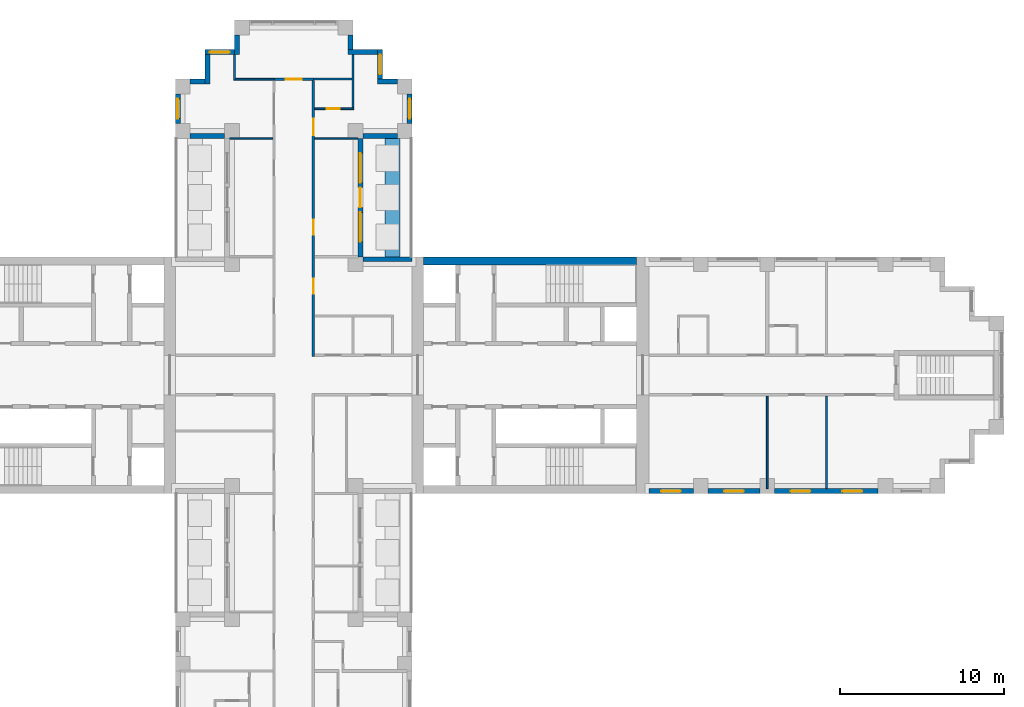
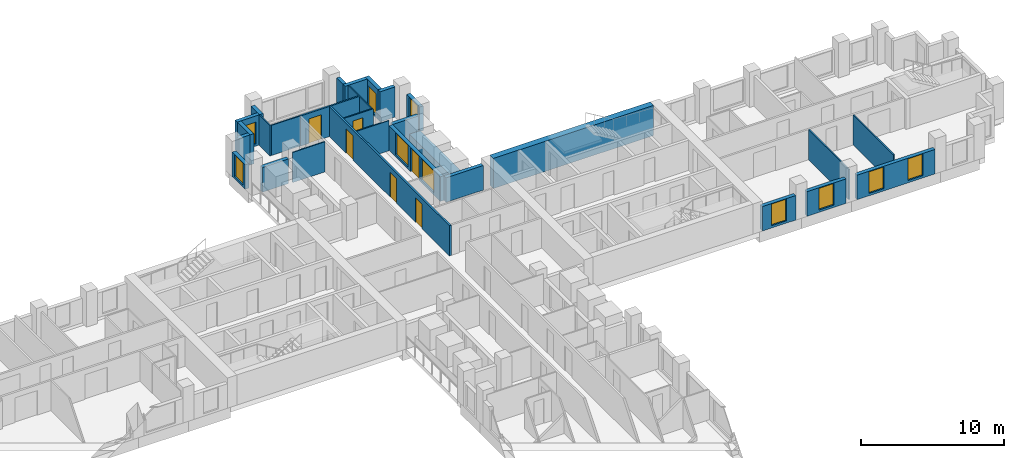
# One storey, part 9 of 13: 30 walls, 10 windows, 6 doors, 16 openings.
"""IFC4 building model written with IfcOpenShell, lengths in metres."""

import ifcopenshell
import ifcopenshell.guid

model = None  # the IFC model being written
_history = None  # IfcOwnerHistory: only IFC2X3 demands one
_inside = {}  # id of a spatial element -> (the spatial element, [elements in it])
_under = {}  # id of a project, library or spatial element -> (it, [spatial elements below it])
_declared = {}  # id of a project -> (the project, [libraries it declares])
_typed = {}  # id of a type object -> (the type object, [elements of that type])
_made_of = {}  # id of a material, layer set ... -> (it, [elements and type objects made of it])


def new_model(schema):
    """Start an empty IFC model of exactly this schema.

    Asked for "IFC4X3", IfcOpenShell would pick the latest addendum, in which some entities
    have other attributes; the version numbers below select the first issue.
    IFC2X3 requires an IfcOwnerHistory on every rooted entity: one is made here for all.
    """
    global model, _history
    if schema == "IFC4X3":
        model = ifcopenshell.file(schema_version=(4, 3, 0, 0))
    else:
        model = ifcopenshell.file(schema=schema)
    _inside.clear()
    _under.clear()
    _declared.clear()
    _typed.clear()
    _made_of.clear()
    _history = None
    if model.schema == "IFC2X3":
        org = make("IfcOrganization", Name="unknown")
        user = make(
            "IfcPersonAndOrganization",
            ThePerson=make("IfcPerson", FamilyName="unknown"),
            TheOrganization=org,
        )
        app = make(
            "IfcApplication",
            ApplicationDeveloper=org,
            Version="unknown",
            ApplicationFullName="unknown",
            ApplicationIdentifier="unknown",
        )
        _history = make(
            "IfcOwnerHistory",
            OwningUser=user,
            OwningApplication=app,
            ChangeAction="ADDED",
            CreationDate=0,
        )
    return model


def make(cls, **values):
    """One entity of the class cls with the attributes given. An attribute that is None is left unset."""
    return model.create_entity(
        cls, **{name: value for name, value in values.items() if value is not None}
    )


def rooted(cls, **values):
    """An entity with a GlobalId (a new one), such as an element, a storey or a relation."""
    return make(cls, GlobalId=ifcopenshell.guid.new(), OwnerHistory=_history, **values)


def si_unit(unit_type, name, prefix=None):
    """IfcSIUnit, for example si_unit("LENGTHUNIT", "METRE", prefix="MILLI")."""
    return make("IfcSIUnit", UnitType=unit_type, Prefix=prefix, Name=name)


def assignment(units):
    """IfcUnitAssignment: the units of a project."""
    return None if units is None else make("IfcUnitAssignment", Units=units)


def point(xyz):
    """IfcCartesianPoint."""
    return None if xyz is None else make("IfcCartesianPoint", Coordinates=xyz)


def direction(xyz):
    """IfcDirection."""
    return None if xyz is None else make("IfcDirection", DirectionRatios=xyz)


def frame(location, z_axis=None, x_axis=None):
    """IfcAxis2Placement3D, a coordinate frame: its origin and axes. An axis left out is left unset."""
    return make(
        "IfcAxis2Placement3D",
        Location=point(location),
        Axis=direction(z_axis),
        RefDirection=direction(x_axis),
    )


def frame_2d(location, x_axis=None):
    """IfcAxis2Placement2D, a coordinate frame in the plane: its origin and x axis."""
    return make(
        "IfcAxis2Placement2D", Location=point(location), RefDirection=direction(x_axis)
    )


def origin():
    """The frame at (0, 0, 0) with its axes left unset."""
    return frame((0.0, 0.0, 0.0))


def place(relative_to, where):
    """IfcLocalPlacement: puts the frame where relative to a parent placement (None: the world)."""
    return make(
        "IfcLocalPlacement", PlacementRelTo=relative_to, RelativePlacement=where
    )


def context(
    kind, dimensions, precision=None, world=None, true_north=None, identifier=None
):
    """IfcGeometricRepresentationContext, for example the 3D "Model" context."""
    return make(
        "IfcGeometricRepresentationContext",
        ContextIdentifier=identifier,
        ContextType=kind,
        CoordinateSpaceDimension=dimensions,
        Precision=precision,
        WorldCoordinateSystem=world,
        TrueNorth=true_north,
    )


def subcontext(parent, identifier, kind, view, scale=None):
    """IfcGeometricRepresentationSubContext, for example "Body" below "Model"."""
    return make(
        "IfcGeometricRepresentationSubContext",
        ContextIdentifier=identifier,
        ContextType=kind,
        ParentContext=parent,
        TargetScale=scale,
        TargetView=view,
    )


def project(units=None, contexts=None):
    """IfcProject with its units and contexts."""
    return rooted(
        "IfcProject",
        Name="project",
        RepresentationContexts=contexts,
        UnitsInContext=assignment(units),
    )


def spatial(cls, under=None, at=None, **own):
    """A site, building, storey or space (cls), placed at a placement, below another one or the project."""
    s = rooted(cls, ObjectPlacement=at, **own)
    if under is not None:
        _under.setdefault(under.id(), (under, []))[1].append(s)
    return s


def profile(cls, at=None, kind="AREA", **sizes):
    """A parametric profile (cls). Its sizes go by their IFC names, for example OverallWidth=200.0."""
    return make(cls, ProfileType=kind, Position=at, **sizes)


def rectangle(**sizes):
    """IfcRectangleProfileDef."""
    return profile("IfcRectangleProfileDef", **sizes)


def extrude(swept, where, along, depth):
    """IfcExtrudedAreaSolid: the profile swept, set in the frame where, extruded along a direction by depth."""
    return make(
        "IfcExtrudedAreaSolid",
        SweptArea=swept,
        Position=where,
        ExtrudedDirection=direction(along),
        Depth=depth,
    )


def shape(context_of_items, identifier, shape_type, items):
    """IfcShapeRepresentation: the items that make up one representation, for example the "Body"."""
    return make(
        "IfcShapeRepresentation",
        ContextOfItems=context_of_items,
        RepresentationIdentifier=identifier,
        RepresentationType=shape_type,
        Items=items,
    )


def material(Name=None, Category=None):
    """IfcMaterial."""
    return make("IfcMaterial", Name=Name, Category=Category)


def layer(
    of_material, thickness, ventilated=None, Name=None, Category=None, Priority=None
):
    """IfcMaterialLayer: one layer of a wall or slab, of a material (None: an air gap)."""
    return make(
        "IfcMaterialLayer",
        Material=of_material,
        LayerThickness=thickness,
        IsVentilated=ventilated,
        Name=Name,
        Category=Category,
        Priority=Priority,
    )


def layer_set(layers, Name=None):
    """IfcMaterialLayerSet."""
    return make("IfcMaterialLayerSet", MaterialLayers=layers, LayerSetName=Name)


def made_of(thing, what):
    """Note that an element or type object is made of a material, layer set ...; save() writes the relation."""
    if what is not None:
        _made_of.setdefault(what.id(), (what, []))[1].append(thing)
    return thing


def type_object(cls, material=None, **own):
    """A type object (cls), such as IfcWallType, which elements share."""
    return made_of(rooted(cls, **own), material)


def element(
    cls,
    number,
    at=None,
    inside=None,
    cuts=None,
    type_object=None,
    material=None,
    context=None,
    identifier="Body",
    shape_type=None,
    held_by="IfcProductDefinitionShape",
    body=None,
    shapes=None,
    **own,
):
    """One element of the class cls, such as IfcWall. Its Tag is "e" and its number.

    at: its placement. inside: the storey or other place that contains it. cuts: it is an
    opening in that element (IfcRelVoidsElement). A single representation is given by context,
    identifier, shape_type and body (its items); several are given by shapes. held_by: the class
    of the entity that holds the representations. save() writes the other relations.
    """
    e = rooted(cls, Tag="e%d" % number, ObjectPlacement=at, **own)
    if body is not None:
        shapes = [shape(context, identifier, shape_type, body)]
    if shapes is not None:
        e.Representation = make(held_by, Representations=shapes)
    if inside is not None:
        _inside.setdefault(inside.id(), (inside, []))[1].append(e)
    if cuts is not None:
        rooted(
            "IfcRelVoidsElement", RelatingBuildingElement=cuts, RelatedOpeningElement=e
        )
    if type_object is not None:
        _typed.setdefault(type_object.id(), (type_object, []))[1].append(e)
    return made_of(e, material)


def fill(opening, filler):
    """IfcRelFillsElement: the door or window that sits in an opening."""
    return rooted(
        "IfcRelFillsElement",
        RelatingOpeningElement=opening,
        RelatedBuildingElement=filler,
    )


def aggregate(whole, parts):
    """IfcRelAggregates: a whole, such as a stair, and the parts it consists of."""
    return rooted("IfcRelAggregates", RelatingObject=whole, RelatedObjects=parts)


def save(model, path):
    """Write the relations noted so far, then the file.

    IfcRelAggregates (storeys below a building ...), IfcRelContainedInSpatialStructure (elements
    in a storey), IfcRelDefinesByType, IfcRelAssociatesMaterial and IfcRelDeclares: one each for
    every whole, place, type object, material and project.
    """
    for whole, parts in _under.values():
        aggregate(whole, parts)
    for where, things in _inside.values():
        rooted(
            "IfcRelContainedInSpatialStructure",
            RelatedElements=things,
            RelatingStructure=where,
        )
    for kind, things in _typed.values():
        rooted("IfcRelDefinesByType", RelatedObjects=things, RelatingType=kind)
    for what, things in _made_of.values():
        rooted("IfcRelAssociatesMaterial", RelatedObjects=things, RelatingMaterial=what)
    for by, libraries in _declared.values():
        rooted("IfcRelDeclares", RelatingContext=by, RelatedDefinitions=libraries)
    model.write(path)


model = new_model("IFC4")

# Units and contexts
model_context = context("Model", 3, precision=1e-05, world=origin(), true_north=direction((0.0, 1.0)))
body_context = subcontext(model_context, "Body", "Model", "MODEL_VIEW")
ifc_project = project(units=[si_unit("LENGTHUNIT", "METRE"), si_unit("AREAUNIT", "SQUARE_METRE"), si_unit("VOLUMEUNIT", "CUBIC_METRE"), si_unit("PLANEANGLEUNIT", "RADIAN"), si_unit("MASSUNIT", "GRAM", prefix="KILO")], contexts=[model_context])

# Site, building, storey
site_placement = place(None, origin())
site = spatial("IfcSite", under=ifc_project, at=site_placement, CompositionType="ELEMENT")
building_placement = place(site_placement, origin())
building = spatial("IfcBuilding", under=site, at=building_placement, Name="Fustian Cross Tower", CompositionType="ELEMENT")
storey_placement = place(building_placement, frame((0.0, 0.0, 84.89990234375)))
storey = spatial("IfcBuildingStorey", under=building, at=storey_placement, Name="L26", CompositionType="ELEMENT", Elevation=84.89990234375)

# Wall, opening, door
ifc_material_1 = material(Name="Plasterboard on steel stud", Category="steel")
ifc_layer_1 = layer(ifc_material_1, 0.14990234375)
ifc_layer_set_1 = layer_set([ifc_layer_1], Name="Plasterboard on steel stud")
wall_type_1 = type_object("IfcWallType", Name="COMPARTMENT WALL 150 EI 60", PredefinedType="PARTITIONING", material=ifc_layer_set_1)
wall_1_placement = place(storey_placement, frame((-1.199951171875, 18.0, 0.0), z_axis=(0.0, 0.0, 1.0), x_axis=(1.0, 0.0, 0.0)))
wall_1 = element("IfcWall", 1, at=wall_1_placement, inside=storey, type_object=wall_type_1, Name="Partition 40", PredefinedType="PARTITIONING", context=body_context, shape_type="SweptSolid", body=[
    extrude(rectangle(XDim=2.39990234375, YDim=0.14990234375, at=frame_2d((1.199951171875, 0.0))), origin(), (0.0, 0.0, 1.0), 2.5751953125),
])
opening_1_placement = place(wall_1_placement, frame((0.699951171875, 0.0, 0.0)))
opening_1 = element("IfcOpeningElement", 2, at=opening_1_placement, cuts=wall_1, Name="Opening D13017", PredefinedType="OPENING", context=body_context, shape_type="SweptSolid", body=[
    extrude(rectangle(XDim=1.0, YDim=2.10009765625, at=frame_2d((0.5, 1.050048828125))), frame((0.0, 0.0849609375, 0.0), z_axis=(0.0, -1.0, 0.0), x_axis=(1.0, 0.0, 0.0)), (0.0, 0.0, 1.0), 0.169921875),
])
ifc_material_2 = material(Name="Timber fire door set", Category="wood")
door_type_1 = type_object("IfcDoorType", Name="FIRE SWING DOOR 1000 FD30S", OperationType="SINGLE_SWING_LEFT", PredefinedType="DOOR", material=ifc_material_2)
door_1_placement = place(opening_1_placement, origin())
door_1 = element("IfcDoor", 3, at=door_1_placement, inside=storey, type_object=door_type_1, Name="Door D13017", OperationType="SINGLE_SWING_LEFT", OverallHeight=2.10009765625, OverallWidth=1.0, PredefinedType="DOOR", context=body_context, shape_type="SweptSolid", body=[
    extrude(rectangle(XDim=1.0, YDim=2.10009765625, at=frame_2d((0.5, 1.050048828125))), frame((0.0, 0.02490234375, 0.0), z_axis=(0.0, -1.0, 0.0), x_axis=(1.0, 0.0, 0.0)), (0.0, 0.0, 1.0), 0.050048828125),
])
fill(opening_1, door_1)

# Wall, openings, doors
wall_2_placement = place(storey_placement, frame((1.199951171875, 1.125, 0.0), z_axis=(0.0, 0.0, 1.0), x_axis=(0.0, 1.0, 0.0)))
wall_2 = element("IfcWall", 4, at=wall_2_placement, inside=storey, type_object=wall_type_1, Name="Partition 49", PredefinedType="PARTITIONING", context=body_context, shape_type="SweptSolid", body=[
    extrude(rectangle(XDim=16.800048828125, YDim=0.14990234375, at=frame_2d((8.39990234375, 0.0))), origin(), (0.0, 0.0, 1.0), 2.5751953125),
])
opening_2_placement = place(wall_2_placement, frame((3.824951171875, 0.0, 0.0)))
opening_2 = element("IfcOpeningElement", 5, at=opening_2_placement, cuts=wall_2, Name="Opening D13003", PredefinedType="OPENING", context=body_context, shape_type="SweptSolid", body=[
    extrude(rectangle(XDim=0.89990234375, YDim=2.10009765625, at=frame_2d((0.449951171875, 1.050048828125))), frame((0.0, 0.0849609375, 0.0), z_axis=(0.0, -1.0, 0.0), x_axis=(1.0, 0.0, 0.0)), (0.0, 0.0, 1.0), 0.169921875),
])
opening_3_placement = place(wall_2_placement, frame((7.425048828125, 0.0, 0.0)))
opening_3 = element("IfcOpeningElement", 6, at=opening_3_placement, cuts=wall_2, Name="Opening D13020", PredefinedType="OPENING", context=body_context, shape_type="SweptSolid", body=[
    extrude(rectangle(XDim=0.89990234375, YDim=2.10009765625, at=frame_2d((0.449951171875, 1.050048828125))), frame((0.0, 0.0849609375, 0.0), z_axis=(0.0, -1.0, 0.0), x_axis=(1.0, 0.0, 0.0)), (0.0, 0.0, 1.0), 0.169921875),
])
opening_4_placement = place(wall_2_placement, frame((13.47509765625, 0.0, 0.0)))
opening_4 = element("IfcOpeningElement", 7, at=opening_4_placement, cuts=wall_2, Name="Opening D13022", PredefinedType="OPENING", context=body_context, shape_type="SweptSolid", body=[
    extrude(rectangle(XDim=1.0, YDim=2.10009765625, at=frame_2d((0.5, 1.050048828125))), frame((0.0, 0.0849609375, 0.0), z_axis=(0.0, -1.0, 0.0), x_axis=(1.0, 0.0, 0.0)), (0.0, 0.0, 1.0), 0.169921875),
])
door_2_placement = place(opening_4_placement, frame((1.0, 0.0, 0.0), z_axis=(0.0, 0.0, 1.0), x_axis=(-1.0, 0.0, 0.0)))
door_2 = element("IfcDoor", 8, at=door_2_placement, inside=storey, type_object=door_type_1, Name="Door D13022", OperationType="SINGLE_SWING_RIGHT", OverallHeight=2.10009765625, OverallWidth=1.0, PredefinedType="DOOR", context=body_context, shape_type="SweptSolid", body=[
    extrude(rectangle(XDim=1.0, YDim=2.10009765625, at=frame_2d((0.5, 1.050048828125))), frame((0.0, 0.02490234375, 0.0), z_axis=(0.0, -1.0, 0.0), x_axis=(1.0, 0.0, 0.0)), (0.0, 0.0, 1.0), 0.050048828125),
])
fill(opening_4, door_2)
ifc_material_3 = material(Name="Timber fire door set", Category="wood")
door_type_2 = type_object("IfcDoorType", Name="FIRE SWING DOOR 900 FD30S", OperationType="SINGLE_SWING_LEFT", PredefinedType="DOOR", material=ifc_material_3)
door_3_placement = place(opening_2_placement, frame((0.89990234375, 0.0, 0.0), z_axis=(0.0, 0.0, 1.0), x_axis=(-1.0, 0.0, 0.0)))
door_3 = element("IfcDoor", 9, at=door_3_placement, inside=storey, type_object=door_type_2, Name="Door D13003", OperationType="SINGLE_SWING_RIGHT", OverallHeight=2.10009765625, OverallWidth=0.89990234375, PredefinedType="DOOR", context=body_context, shape_type="SweptSolid", body=[
    extrude(rectangle(XDim=0.89990234375, YDim=2.10009765625, at=frame_2d((0.449951171875, 1.050048828125))), frame((0.0, 0.02490234375, 0.0), z_axis=(0.0, -1.0, 0.0), x_axis=(1.0, 0.0, 0.0)), (0.0, 0.0, 1.0), 0.050048828125),
])
fill(opening_2, door_3)
door_4_placement = place(opening_3_placement, frame((0.89990234375, 0.0, 0.0), z_axis=(0.0, 0.0, 1.0), x_axis=(-1.0, 0.0, 0.0)))
door_4 = element("IfcDoor", 10, at=door_4_placement, inside=storey, type_object=door_type_2, Name="Door D13020", OperationType="SINGLE_SWING_RIGHT", OverallHeight=2.10009765625, OverallWidth=0.89990234375, PredefinedType="DOOR", context=body_context, shape_type="SweptSolid", body=[
    extrude(rectangle(XDim=0.89990234375, YDim=2.10009765625, at=frame_2d((0.449951171875, 1.050048828125))), frame((0.0, 0.02490234375, 0.0), z_axis=(0.0, -1.0, 0.0), x_axis=(1.0, 0.0, 0.0)), (0.0, 0.0, 1.0), 0.050048828125),
])
fill(opening_3, door_4)

# Walls
ifc_material_4 = material(Name="Concrete C70/85", Category="concrete")
ifc_layer_2 = layer(ifc_material_4, 0.5)
ifc_layer_set_2 = layer_set([ifc_layer_2], Name="Concrete C70/85")
wall_type_2 = type_object("IfcWallType", Name="CORE FACADE WALL 500 C70/85", PredefinedType="SHEAR", material=ifc_layer_set_2)
wall_3_placement = place(storey_placement, frame((7.89990234375, 6.949951171875, 0.0), z_axis=(0.0, 0.0, 1.0), x_axis=(1.0, 0.0, 0.0)))
element("IfcWall", 11, at=wall_3_placement, inside=storey, type_object=wall_type_2, Name="Core facade wall", PredefinedType="SHEAR", context=body_context, shape_type="SweptSolid", body=[
    extrude(rectangle(XDim=12.9501953125, YDim=0.5, at=frame_2d((6.47509765625, 0.0))), origin(), (0.0, 0.0, 1.0), 2.5751953125),
])
ifc_material_5 = material(Name="Plasterboard on steel stud", Category="steel")
ifc_layer_3 = layer(ifc_material_5, 0.10009765625)
ifc_layer_set_3 = layer_set([ifc_layer_3], Name="Plasterboard on steel stud")
wall_type_3 = type_object("IfcWallType", Name="PARTITION 100 STUD", PredefinedType="PARTITIONING", material=ifc_layer_set_3)
wall_4_placement = place(storey_placement, frame((-3.89990234375, 14.39990234375, 0.0), z_axis=(0.0, 0.0, 1.0), x_axis=(1.0, 0.0, 0.0)))
element("IfcWall", 12, at=wall_4_placement, inside=storey, type_object=wall_type_3, Name="Partition 34", PredefinedType="PARTITIONING", context=body_context, shape_type="SweptSolid", body=[
    extrude(rectangle(XDim=2.625, YDim=0.10009765625, at=frame_2d((1.3125, 0.0))), origin(), (0.0, 0.0, 1.0), 2.5751953125),
])
wall_5_placement = place(storey_placement, frame((-3.60009765625, 17.949951171875, 0.0), z_axis=(0.0, 0.0, 1.0), x_axis=(0.0, 1.0, 0.0)))
element("IfcWall", 13, at=wall_5_placement, inside=storey, type_object=wall_type_3, Name="Partition 35", PredefinedType="PARTITIONING", context=body_context, shape_type="SweptSolid", body=[
    extrude(rectangle(XDim=1.550048828125, YDim=0.10009765625, at=frame_2d((0.77490234375, 0.0))), origin(), (0.0, 0.0, 1.0), 2.5751953125),
])
wall_6_placement = place(storey_placement, frame((-3.550048828125, 18.0, 0.0), z_axis=(0.0, 0.0, 1.0), x_axis=(1.0, 0.0, 0.0)))
element("IfcWall", 14, at=wall_6_placement, inside=storey, type_object=wall_type_3, Name="Partition 36", PredefinedType="PARTITIONING", context=body_context, shape_type="SweptSolid", body=[
    extrude(rectangle(XDim=2.35009765625, YDim=0.10009765625, at=frame_2d((1.175048828125, 0.0))), origin(), (0.0, 0.0, 1.0), 2.5751953125),
])
wall_7_placement = place(storey_placement, frame((1.27490234375, 14.39990234375, 0.0), z_axis=(0.0, 0.0, 1.0), x_axis=(1.0, 0.0, 0.0)))
element("IfcWall", 15, at=wall_7_placement, inside=storey, type_object=wall_type_3, Name="Partition 53", PredefinedType="PARTITIONING", context=body_context, shape_type="SweptSolid", body=[
    extrude(rectangle(XDim=2.625, YDim=0.10009765625, at=frame_2d((1.3125, 0.0))), origin(), (0.0, 0.0, 1.0), 2.5751953125),
])

# Wall, opening, door
wall_8_placement = place(storey_placement, frame((1.27490234375, 16.199951171875, 0.0), z_axis=(0.0, 0.0, 1.0), x_axis=(1.0, 0.0, 0.0)))
wall_8 = element("IfcWall", 16, at=wall_8_placement, inside=storey, type_object=wall_type_3, Name="Partition 54", PredefinedType="PARTITIONING", context=body_context, shape_type="SweptSolid", body=[
    extrude(rectangle(XDim=2.375, YDim=0.10009765625, at=frame_2d((1.1875, 0.0))), origin(), (0.0, 0.0, 1.0), 2.5751953125),
])
opening_5_placement = place(wall_8_placement, frame((0.72509765625, 0.0, 0.0)))
opening_5 = element("IfcOpeningElement", 17, at=opening_5_placement, cuts=wall_8, Name="Opening D13021", PredefinedType="OPENING", context=body_context, shape_type="SweptSolid", body=[
    extrude(rectangle(XDim=0.800048828125, YDim=2.10009765625, at=frame_2d((0.39990234375, 1.050048828125))), frame((0.0, 0.06005859375, 0.0), z_axis=(0.0, -1.0, 0.0), x_axis=(1.0, 0.0, 0.0)), (0.0, 0.0, 1.0), 0.1201171875),
])
ifc_material_6 = material(Name="Painted timber", Category="wood")
door_type_3 = type_object("IfcDoorType", Name="SWING DOOR 800", OperationType="SINGLE_SWING_LEFT", PredefinedType="DOOR", material=ifc_material_6)
door_5_placement = place(opening_5_placement, origin())
door_5 = element("IfcDoor", 18, at=door_5_placement, inside=storey, type_object=door_type_3, Name="Door D13021", OperationType="SINGLE_SWING_LEFT", OverallHeight=2.10009765625, OverallWidth=0.800048828125, PredefinedType="DOOR", context=body_context, shape_type="SweptSolid", body=[
    extrude(rectangle(XDim=0.800048828125, YDim=2.10009765625, at=frame_2d((0.39990234375, 1.050048828125))), frame((0.0, 0.02490234375, 0.0), z_axis=(0.0, -1.0, 0.0), x_axis=(1.0, 0.0, 0.0)), (0.0, 0.0, 1.0), 0.050048828125),
])
fill(opening_5, door_5)

# Walls
wall_9_placement = place(storey_placement, frame((3.60009765625, 16.25, 0.0), z_axis=(0.0, 0.0, 1.0), x_axis=(0.0, 1.0, 0.0)))
element("IfcWall", 19, at=wall_9_placement, inside=storey, type_object=wall_type_3, Name="Partition 64", PredefinedType="PARTITIONING", context=body_context, shape_type="SweptSolid", body=[
    extrude(rectangle(XDim=3.25, YDim=0.10009765625, at=frame_2d((1.625, 0.0))), origin(), (0.0, 0.0, 1.0), 2.5751953125),
])
for number, where, z_axis, x_axis, name in (
    (20, (28.800048828125, -6.89990234375, 0.0), (0.0, 0.0, 1.0), (0.0, 1.0, 0.0), "Partition 75"),
    (21, (32.39990234375, -6.89990234375, 0.0), (0.0, 0.0, 1.0), (0.0, 1.0, 0.0), "Partition 79"),
):
    element("IfcWall", number, at=place(storey_placement, frame(where, z_axis=z_axis, x_axis=x_axis)), inside=storey, type_object=wall_type_3, Name=name, PredefinedType="PARTITIONING", context=body_context, shape_type="SweptSolid", body=[
        extrude(rectangle(XDim=5.625, YDim=0.10009765625, at=frame_2d((2.8125, 0.0))), origin(), (0.0, 0.0, 1.0), 2.5751953125),
    ])
ifc_material_7 = material(Name="Concrete C40/50", Category="concrete")
ifc_layer_4 = layer(ifc_material_7, 0.89990234375)
ifc_layer_set_4 = layer_set([ifc_layer_4], Name="Concrete C40/50")
wall_type_4 = type_object("IfcWallType", Name="PK1 PLANTER 900", PredefinedType="PARAPET", material=ifc_layer_set_4)
wall_10_placement = place(storey_placement, frame((6.0, 7.199951171875, 0.0), z_axis=(0.0, 0.0, 1.0), x_axis=(0.0, 1.0, 0.0)))
element("IfcWall", 22, at=wall_10_placement, inside=storey, type_object=wall_type_4, Name="PLANTER", PredefinedType="PARAPET", context=body_context, shape_type="SweptSolid", body=[
    extrude(rectangle(XDim=7.199951171875, YDim=0.89990234375, at=frame_2d((3.60009765625, 0.0))), origin(), (0.0, 0.0, 1.0), 0.800048828125),
])
ifc_material_8 = material(Name="Plasterboard on steel stud", Category="steel")
ifc_layer_5 = layer(ifc_material_8, 0.125)
ifc_layer_set_5 = layer_set([ifc_layer_5], Name="Plasterboard on steel stud")
wall_type_5 = type_object("IfcWallType", Name="WET WALL 125 STUD", PredefinedType="PARTITIONING", material=ifc_layer_set_5)
wall_11_placement = place(storey_placement, frame((1.199951171875, 18.0, 0.0), z_axis=(0.0, 0.0, 1.0), x_axis=(1.0, 0.0, 0.0)))
element("IfcWall", 23, at=wall_11_placement, inside=storey, type_object=wall_type_5, Name="Partition 55", PredefinedType="PARTITIONING", context=body_context, shape_type="SweptSolid", body=[
    extrude(rectangle(XDim=2.35009765625, YDim=0.125, at=frame_2d((1.175048828125, 0.0))), origin(), (0.0, 0.0, 1.0), 2.5751953125),
])

# Wall, opening, window
ifc_material_9 = material(Name="Dark aluminium cladding on insulated backing wall", Category="aluminium")
ifc_layer_6 = layer(ifc_material_9, 0.300048828125)
ifc_layer_set_6 = layer_set([ifc_layer_6], Name="Dark aluminium cladding on insulated backing wall")
wall_type_6 = type_object("IfcWallType", Name="XW1 EXTERNAL WALL 300", PredefinedType="SOLIDWALL", material=ifc_layer_set_6)
wall_12_placement = place(storey_placement, frame((21.60009765625, -7.050048828125, 0.0), z_axis=(0.0, 0.0, 1.0), x_axis=(1.0, 0.0, 0.0)))
wall_12 = element("IfcWall", 24, at=wall_12_placement, inside=storey, type_object=wall_type_6, Name="External wall", PredefinedType="SOLIDWALL", context=body_context, shape_type="SweptSolid", body=[
    extrude(rectangle(XDim=2.699951171875, YDim=0.300048828125, at=frame_2d((1.35009765625, 0.0))), origin(), (0.0, 0.0, 1.0), 2.10009765625),
])
opening_6_placement = place(wall_12_placement, frame((0.75, 0.0, 0.199951171875)))
opening_6 = element("IfcOpeningElement", 25, at=opening_6_placement, cuts=wall_12, Name="Opening WN3", PredefinedType="OPENING", context=body_context, shape_type="SweptSolid", body=[
    extrude(rectangle(XDim=1.199951171875, YDim=1.85009765625, at=frame_2d((0.60009765625, 0.925048828125))), frame((0.0, 0.159912109375, 0.0), z_axis=(0.0, -1.0, 0.0), x_axis=(1.0, 0.0, 0.0)), (0.0, 0.0, 1.0), 0.320068359375),
])
ifc_material_10 = material(Name="Dark anodised aluminium and double glazing", Category="aluminium")
window_type_1 = type_object("IfcWindowType", Name="WN3 WINDOW 1200X1850", PartitioningType="SINGLE_PANEL", PredefinedType="WINDOW", material=ifc_material_10)
window_1_placement = place(opening_6_placement, origin())
window_1 = element("IfcWindow", 26, at=window_1_placement, inside=storey, type_object=window_type_1, Name="Window", OverallHeight=1.85009765625, OverallWidth=1.199951171875, PartitioningType="SINGLE_PANEL", PredefinedType="WINDOW", context=body_context, shape_type="SweptSolid", body=[
    extrude(rectangle(XDim=1.199951171875, YDim=1.85009765625, at=frame_2d((0.60009765625, 0.925048828125))), frame((0.0, 0.030029296875, 0.0), z_axis=(0.0, -1.0, 0.0), x_axis=(1.0, 0.0, 0.0)), (0.0, 0.0, 1.0), 0.06005859375),
])
fill(opening_6, window_1)

wall_13_placement = place(storey_placement, frame((25.199951171875, -7.050048828125, 0.0), z_axis=(0.0, 0.0, 1.0), x_axis=(1.0, 0.0, 0.0)))
wall_13 = element("IfcWall", 27, at=wall_13_placement, inside=storey, type_object=wall_type_6, Name="External wall", PredefinedType="SOLIDWALL", context=body_context, shape_type="SweptSolid", body=[
    extrude(rectangle(XDim=3.150146484375, YDim=0.300048828125, at=frame_2d((1.5751953125, 0.0))), origin(), (0.0, 0.0, 1.0), 2.10009765625),
])
opening_7_placement = place(wall_13_placement, frame((0.97509765625, 0.0, 0.199951171875)))
opening_7 = element("IfcOpeningElement", 28, at=opening_7_placement, cuts=wall_13, Name="Opening WN3", PredefinedType="OPENING", context=body_context, shape_type="SweptSolid", body=[
    extrude(rectangle(XDim=1.199951171875, YDim=1.85009765625, at=frame_2d((0.60009765625, 0.925048828125))), frame((0.0, 0.159912109375, 0.0), z_axis=(0.0, -1.0, 0.0), x_axis=(1.0, 0.0, 0.0)), (0.0, 0.0, 1.0), 0.320068359375),
])
window_2_placement = place(opening_7_placement, origin())
window_2 = element("IfcWindow", 29, at=window_2_placement, inside=storey, type_object=window_type_1, Name="Window", OverallHeight=1.85009765625, OverallWidth=1.199951171875, PartitioningType="SINGLE_PANEL", PredefinedType="WINDOW", context=body_context, shape_type="SweptSolid", body=[
    extrude(rectangle(XDim=1.199951171875, YDim=1.85009765625, at=frame_2d((0.60009765625, 0.925048828125))), frame((0.0, 0.030029296875, 0.0), z_axis=(0.0, -1.0, 0.0), x_axis=(1.0, 0.0, 0.0)), (0.0, 0.0, 1.0), 0.06005859375),
])
fill(opening_7, window_2)

# Wall, openings, windows
wall_14_placement = place(storey_placement, frame((29.25, -7.050048828125, 0.0), z_axis=(0.0, 0.0, 1.0), x_axis=(1.0, 0.0, 0.0)))
wall_14 = element("IfcWall", 30, at=wall_14_placement, inside=storey, type_object=wall_type_6, Name="External wall", PredefinedType="SOLIDWALL", context=body_context, shape_type="SweptSolid", body=[
    extrude(rectangle(XDim=6.300048828125, YDim=0.300048828125, at=frame_2d((3.14990234375, 0.0))), origin(), (0.0, 0.0, 1.0), 2.10009765625),
])
opening_8_placement = place(wall_14_placement, frame((0.97509765625, 0.0, 0.199951171875)))
opening_8 = element("IfcOpeningElement", 31, at=opening_8_placement, cuts=wall_14, Name="Opening WN3", PredefinedType="OPENING", context=body_context, shape_type="SweptSolid", body=[
    extrude(rectangle(XDim=1.199951171875, YDim=1.85009765625, at=frame_2d((0.60009765625, 0.925048828125))), frame((0.0, 0.159912109375, 0.0), z_axis=(0.0, -1.0, 0.0), x_axis=(1.0, 0.0, 0.0)), (0.0, 0.0, 1.0), 0.320068359375),
])
opening_9_placement = place(wall_14_placement, frame((4.125, 0.0, 0.199951171875)))
opening_9 = element("IfcOpeningElement", 32, at=opening_9_placement, cuts=wall_14, Name="Opening WN3", PredefinedType="OPENING", context=body_context, shape_type="SweptSolid", body=[
    extrude(rectangle(XDim=1.199951171875, YDim=1.85009765625, at=frame_2d((0.60009765625, 0.925048828125))), frame((0.0, 0.159912109375, 0.0), z_axis=(0.0, -1.0, 0.0), x_axis=(1.0, 0.0, 0.0)), (0.0, 0.0, 1.0), 0.320068359375),
])
window_3_placement = place(opening_8_placement, origin())
window_3 = element("IfcWindow", 33, at=window_3_placement, inside=storey, type_object=window_type_1, Name="Window", OverallHeight=1.85009765625, OverallWidth=1.199951171875, PartitioningType="SINGLE_PANEL", PredefinedType="WINDOW", context=body_context, shape_type="SweptSolid", body=[
    extrude(rectangle(XDim=1.199951171875, YDim=1.85009765625, at=frame_2d((0.60009765625, 0.925048828125))), frame((0.0, 0.030029296875, 0.0), z_axis=(0.0, -1.0, 0.0), x_axis=(1.0, 0.0, 0.0)), (0.0, 0.0, 1.0), 0.06005859375),
])
fill(opening_8, window_3)
window_4_placement = place(opening_9_placement, origin())
window_4 = element("IfcWindow", 34, at=window_4_placement, inside=storey, type_object=window_type_1, Name="Window", OverallHeight=1.85009765625, OverallWidth=1.199951171875, PartitioningType="SINGLE_PANEL", PredefinedType="WINDOW", context=body_context, shape_type="SweptSolid", body=[
    extrude(rectangle(XDim=1.199951171875, YDim=1.85009765625, at=frame_2d((0.60009765625, 0.925048828125))), frame((0.0, 0.030029296875, 0.0), z_axis=(0.0, -1.0, 0.0), x_axis=(1.0, 0.0, 0.0)), (0.0, 0.0, 1.0), 0.06005859375),
])
fill(opening_9, window_4)

# Wall
wall_15_placement = place(storey_placement, frame((7.199951171875, 7.050048828125, 0.0), z_axis=(0.0, 0.0, 1.0), x_axis=(-1.0, 0.0, 0.0)))
element("IfcWall", 35, at=wall_15_placement, inside=storey, type_object=wall_type_6, Name="External wall", PredefinedType="SOLIDWALL", context=body_context, shape_type="SweptSolid", body=[
    extrude(rectangle(XDim=3.0, YDim=0.300048828125, at=frame_2d((1.5, 0.0))), origin(), (0.0, 0.0, 1.0), 2.10009765625),
])

# Wall, openings, door, windows
wall_16_placement = place(storey_placement, frame((4.050048828125, 7.199951171875, 0.0), z_axis=(0.0, 0.0, 1.0), x_axis=(0.0, 1.0, 0.0)))
wall_16 = element("IfcWall", 36, at=wall_16_placement, inside=storey, type_object=wall_type_6, Name="External wall", PredefinedType="SOLIDWALL", context=body_context, shape_type="SweptSolid", body=[
    extrude(rectangle(XDim=7.199951171875, YDim=0.300048828125, at=frame_2d((3.60009765625, 0.0))), origin(), (0.0, 0.0, 1.0), 2.10009765625),
])
opening_10_placement = place(wall_16_placement, frame((3.0, 0.0, 0.0)))
opening_10 = element("IfcOpeningElement", 37, at=opening_10_placement, cuts=wall_16, Name="Opening XD1", PredefinedType="OPENING", context=body_context, shape_type="SweptSolid", body=[
    extrude(rectangle(XDim=1.199951171875, YDim=2.050048828125, at=frame_2d((0.60009765625, 1.02490234375))), frame((0.0, 0.159912109375, 0.0), z_axis=(0.0, -1.0, 0.0), x_axis=(1.0, 0.0, 0.0)), (0.0, 0.0, 1.0), 0.320068359375),
])
opening_11_placement = place(wall_16_placement, frame((0.89990234375, 0.0, 0.199951171875)))
opening_11 = element("IfcOpeningElement", 38, at=opening_11_placement, cuts=wall_16, Name="Opening WN2", PredefinedType="OPENING", context=body_context, shape_type="SweptSolid", body=[
    extrude(rectangle(XDim=1.800048828125, YDim=1.85009765625, at=frame_2d((0.89990234375, 0.925048828125))), frame((0.0, 0.159912109375, 0.0), z_axis=(0.0, -1.0, 0.0), x_axis=(1.0, 0.0, 0.0)), (0.0, 0.0, 1.0), 0.320068359375),
])
opening_12_placement = place(wall_16_placement, frame((4.5, 0.0, 0.199951171875)))
opening_12 = element("IfcOpeningElement", 39, at=opening_12_placement, cuts=wall_16, Name="Opening WN2", PredefinedType="OPENING", context=body_context, shape_type="SweptSolid", body=[
    extrude(rectangle(XDim=1.800048828125, YDim=1.85009765625, at=frame_2d((0.89990234375, 0.925048828125))), frame((0.0, 0.159912109375, 0.0), z_axis=(0.0, -1.0, 0.0), x_axis=(1.0, 0.0, 0.0)), (0.0, 0.0, 1.0), 0.320068359375),
])
ifc_material_11 = material(Name="Dark anodised aluminium and double glazing", Category="aluminium")
door_type_4 = type_object("IfcDoorType", Name="ED1 BALCONY DOOR 1200X2050", OperationType="SINGLE_SWING_LEFT", PredefinedType="DOOR", material=ifc_material_11)
door_6_placement = place(opening_10_placement, origin())
door_6 = element("IfcDoor", 40, at=door_6_placement, inside=storey, type_object=door_type_4, Name="Balcony door", OperationType="SINGLE_SWING_LEFT", OverallHeight=2.050048828125, OverallWidth=1.199951171875, PredefinedType="DOOR", context=body_context, shape_type="SweptSolid", body=[
    extrude(rectangle(XDim=1.199951171875, YDim=2.050048828125, at=frame_2d((0.60009765625, 1.02490234375))), frame((0.0, 0.02490234375, 0.0), z_axis=(0.0, -1.0, 0.0), x_axis=(1.0, 0.0, 0.0)), (0.0, 0.0, 1.0), 0.050048828125),
])
fill(opening_10, door_6)
ifc_material_12 = material(Name="Dark anodised aluminium and double glazing", Category="aluminium")
window_type_2 = type_object("IfcWindowType", Name="WN2 WINDOW 1800X1850", PartitioningType="SINGLE_PANEL", PredefinedType="WINDOW", material=ifc_material_12)
window_5_placement = place(opening_11_placement, origin())
window_5 = element("IfcWindow", 41, at=window_5_placement, inside=storey, type_object=window_type_2, Name="Window", OverallHeight=1.85009765625, OverallWidth=1.800048828125, PartitioningType="SINGLE_PANEL", PredefinedType="WINDOW", context=body_context, shape_type="SweptSolid", body=[
    extrude(rectangle(XDim=1.800048828125, YDim=1.85009765625, at=frame_2d((0.89990234375, 0.925048828125))), frame((0.0, 0.030029296875, 0.0), z_axis=(0.0, -1.0, 0.0), x_axis=(1.0, 0.0, 0.0)), (0.0, 0.0, 1.0), 0.06005859375),
])
fill(opening_11, window_5)
window_6_placement = place(opening_12_placement, origin())
window_6 = element("IfcWindow", 42, at=window_6_placement, inside=storey, type_object=window_type_2, Name="Window", OverallHeight=1.85009765625, OverallWidth=1.800048828125, PartitioningType="SINGLE_PANEL", PredefinedType="WINDOW", context=body_context, shape_type="SweptSolid", body=[
    extrude(rectangle(XDim=1.800048828125, YDim=1.85009765625, at=frame_2d((0.89990234375, 0.925048828125))), frame((0.0, 0.030029296875, 0.0), z_axis=(0.0, -1.0, 0.0), x_axis=(1.0, 0.0, 0.0)), (0.0, 0.0, 1.0), 0.06005859375),
])
fill(opening_12, window_6)

# Wall
wall_17_placement = place(storey_placement, frame((4.199951171875, 14.550048828125, 0.0), z_axis=(0.0, 0.0, 1.0), x_axis=(1.0, 0.0, 0.0)))
element("IfcWall", 43, at=wall_17_placement, inside=storey, type_object=wall_type_6, Name="External wall", PredefinedType="SOLIDWALL", context=body_context, shape_type="SweptSolid", body=[
    extrude(rectangle(XDim=2.10009765625, YDim=0.300048828125, at=frame_2d((1.050048828125, 0.0))), origin(), (0.0, 0.0, 1.0), 2.10009765625),
])

# Wall, opening, window
wall_18_placement = place(storey_placement, frame((7.050048828125, 15.300048828125, 0.0), z_axis=(0.0, 0.0, 1.0), x_axis=(0.0, 1.0, 0.0)))
wall_18 = element("IfcWall", 44, at=wall_18_placement, inside=storey, type_object=wall_type_6, Name="External wall", PredefinedType="SOLIDWALL", context=body_context, shape_type="SweptSolid", body=[
    extrude(rectangle(XDim=1.800048828125, YDim=0.300048828125, at=frame_2d((0.89990234375, 0.0))), origin(), (0.0, 0.0, 1.0), 2.10009765625),
])
opening_13_placement = place(wall_18_placement, frame((0.300048828125, 0.0, 0.199951171875)))
opening_13 = element("IfcOpeningElement", 45, at=opening_13_placement, cuts=wall_18, Name="Opening WN3", PredefinedType="OPENING", context=body_context, shape_type="SweptSolid", body=[
    extrude(rectangle(XDim=1.199951171875, YDim=1.85009765625, at=frame_2d((0.60009765625, 0.925048828125))), frame((0.0, 0.159912109375, 0.0), z_axis=(0.0, -1.0, 0.0), x_axis=(1.0, 0.0, 0.0)), (0.0, 0.0, 1.0), 0.320068359375),
])
window_7_placement = place(opening_13_placement, origin())
window_7 = element("IfcWindow", 46, at=window_7_placement, inside=storey, type_object=window_type_1, Name="Window", OverallHeight=1.85009765625, OverallWidth=1.199951171875, PartitioningType="SINGLE_PANEL", PredefinedType="WINDOW", context=body_context, shape_type="SweptSolid", body=[
    extrude(rectangle(XDim=1.199951171875, YDim=1.85009765625, at=frame_2d((0.60009765625, 0.925048828125))), frame((0.0, 0.030029296875, 0.0), z_axis=(0.0, -1.0, 0.0), x_axis=(1.0, 0.0, 0.0)), (0.0, 0.0, 1.0), 0.06005859375),
])
fill(opening_13, window_7)

# Wall
wall_19_placement = place(storey_placement, frame((6.300048828125, 17.85009765625, 0.0), z_axis=(0.0, 0.0, 1.0), x_axis=(-1.0, 0.0, 0.0)))
element("IfcWall", 47, at=wall_19_placement, inside=storey, type_object=wall_type_6, Name="External wall", PredefinedType="SOLIDWALL", context=body_context, shape_type="SweptSolid", body=[
    extrude(rectangle(XDim=1.199951171875, YDim=0.300048828125, at=frame_2d((0.60009765625, 0.0))), origin(), (0.0, 0.0, 1.0), 2.5751953125),
])

# Wall, opening, window
wall_20_placement = place(storey_placement, frame((5.25, 18.0, 0.0), z_axis=(0.0, 0.0, 1.0), x_axis=(0.0, 1.0, 0.0)))
wall_20 = element("IfcWall", 48, at=wall_20_placement, inside=storey, type_object=wall_type_6, Name="External wall", PredefinedType="SOLIDWALL", context=body_context, shape_type="SweptSolid", body=[
    extrude(rectangle(XDim=1.800048828125, YDim=0.300048828125, at=frame_2d((0.89990234375, 0.0))), origin(), (0.0, 0.0, 1.0), 2.5751953125),
])
opening_14_placement = place(wall_20_placement, frame((0.300048828125, 0.0, 0.199951171875)))
opening_14 = element("IfcOpeningElement", 49, at=opening_14_placement, cuts=wall_20, Name="Opening WN3", PredefinedType="OPENING", context=body_context, shape_type="SweptSolid", body=[
    extrude(rectangle(XDim=1.199951171875, YDim=1.85009765625, at=frame_2d((0.60009765625, 0.925048828125))), frame((0.0, 0.159912109375, 0.0), z_axis=(0.0, -1.0, 0.0), x_axis=(1.0, 0.0, 0.0)), (0.0, 0.0, 1.0), 0.320068359375),
])
window_8_placement = place(opening_14_placement, origin())
window_8 = element("IfcWindow", 50, at=window_8_placement, inside=storey, type_object=window_type_1, Name="Window", OverallHeight=1.85009765625, OverallWidth=1.199951171875, PartitioningType="SINGLE_PANEL", PredefinedType="WINDOW", context=body_context, shape_type="SweptSolid", body=[
    extrude(rectangle(XDim=1.199951171875, YDim=1.85009765625, at=frame_2d((0.60009765625, 0.925048828125))), frame((0.0, 0.030029296875, 0.0), z_axis=(0.0, -1.0, 0.0), x_axis=(1.0, 0.0, 0.0)), (0.0, 0.0, 1.0), 0.06005859375),
])
fill(opening_14, window_8)

# Walls
wall_21_placement = place(storey_placement, frame((5.10009765625, 19.64990234375, 0.0), z_axis=(0.0, 0.0, 1.0), x_axis=(-1.0, 0.0, 0.0)))
element("IfcWall", 51, at=wall_21_placement, inside=storey, type_object=wall_type_6, Name="External wall", PredefinedType="SOLIDWALL", context=body_context, shape_type="SweptSolid", body=[
    extrude(rectangle(XDim=1.800048828125, YDim=0.300048828125, at=frame_2d((0.89990234375, 0.0))), origin(), (0.0, 0.0, 1.0), 2.5751953125),
])
wall_22_placement = place(storey_placement, frame((3.449951171875, 19.800048828125, 0.0), z_axis=(0.0, 0.0, 1.0), x_axis=(0.0, 1.0, 0.0)))
element("IfcWall", 52, at=wall_22_placement, inside=storey, type_object=wall_type_6, Name="External wall", PredefinedType="SOLIDWALL", context=body_context, shape_type="SweptSolid", body=[
    extrude(rectangle(XDim=0.89990234375, YDim=0.300048828125, at=frame_2d((0.449951171875, 0.0))), origin(), (0.0, 0.0, 1.0), 2.5751953125),
])
wall_23_placement = place(storey_placement, frame((-3.449951171875, 20.699951171875, 0.0), z_axis=(0.0, 0.0, 1.0), x_axis=(0.0, -1.0, 0.0)))
element("IfcWall", 53, at=wall_23_placement, inside=storey, type_object=wall_type_6, Name="External wall", PredefinedType="SOLIDWALL", context=body_context, shape_type="SweptSolid", body=[
    extrude(rectangle(XDim=1.199951171875, YDim=0.300048828125, at=frame_2d((0.60009765625, 0.0))), origin(), (0.0, 0.0, 1.0), 2.5751953125),
])

# Wall, opening, window
wall_24_placement = place(storey_placement, frame((-3.60009765625, 19.64990234375, 0.0), z_axis=(0.0, 0.0, 1.0), x_axis=(-1.0, 0.0, 0.0)))
wall_24 = element("IfcWall", 54, at=wall_24_placement, inside=storey, type_object=wall_type_6, Name="External wall", PredefinedType="SOLIDWALL", context=body_context, shape_type="SweptSolid", body=[
    extrude(rectangle(XDim=1.7998046875, YDim=0.300048828125, at=frame_2d((0.89990234375, 0.0))), origin(), (0.0, 0.0, 1.0), 2.5751953125),
])
opening_15_placement = place(wall_24_placement, frame((0.300048828125, 0.0, 0.199951171875)))
opening_15 = element("IfcOpeningElement", 55, at=opening_15_placement, cuts=wall_24, Name="Opening WN3", PredefinedType="OPENING", context=body_context, shape_type="SweptSolid", body=[
    extrude(rectangle(XDim=1.199951171875, YDim=1.85009765625, at=frame_2d((0.60009765625, 0.925048828125))), frame((0.0, 0.159912109375, 0.0), z_axis=(0.0, -1.0, 0.0), x_axis=(1.0, 0.0, 0.0)), (0.0, 0.0, 1.0), 0.320068359375),
])
window_9_placement = place(opening_15_placement, origin())
window_9 = element("IfcWindow", 56, at=window_9_placement, inside=storey, type_object=window_type_1, Name="Window", OverallHeight=1.85009765625, OverallWidth=1.199951171875, PartitioningType="SINGLE_PANEL", PredefinedType="WINDOW", context=body_context, shape_type="SweptSolid", body=[
    extrude(rectangle(XDim=1.199951171875, YDim=1.85009765625, at=frame_2d((0.60009765625, 0.925048828125))), frame((0.0, 0.030029296875, 0.0), z_axis=(0.0, -1.0, 0.0), x_axis=(1.0, 0.0, 0.0)), (0.0, 0.0, 1.0), 0.06005859375),
])
fill(opening_15, window_9)

# Walls
wall_25_placement = place(storey_placement, frame((-5.25, 19.5, 0.0), z_axis=(0.0, 0.0, 1.0), x_axis=(0.0, -1.0, 0.0)))
element("IfcWall", 57, at=wall_25_placement, inside=storey, type_object=wall_type_6, Name="External wall", PredefinedType="SOLIDWALL", context=body_context, shape_type="SweptSolid", body=[
    extrude(rectangle(XDim=1.800048828125, YDim=0.300048828125, at=frame_2d((0.89990234375, 0.0))), origin(), (0.0, 0.0, 1.0), 2.5751953125),
])
wall_26_placement = place(storey_placement, frame((-5.39990234375, 17.85009765625, 0.0), z_axis=(0.0, 0.0, 1.0), x_axis=(-1.0, 0.0, 0.0)))
element("IfcWall", 58, at=wall_26_placement, inside=storey, type_object=wall_type_6, Name="External wall", PredefinedType="SOLIDWALL", context=body_context, shape_type="SweptSolid", body=[
    extrude(rectangle(XDim=0.900146484375, YDim=0.300048828125, at=frame_2d((0.4501953125, 0.0))), origin(), (0.0, 0.0, 1.0), 2.5751953125),
])

# Wall, opening, window
wall_27_placement = place(storey_placement, frame((-7.050048828125, 17.10009765625, 0.0), z_axis=(0.0, 0.0, 1.0), x_axis=(0.0, -1.0, 0.0)))
wall_27 = element("IfcWall", 59, at=wall_27_placement, inside=storey, type_object=wall_type_6, Name="External wall", PredefinedType="SOLIDWALL", context=body_context, shape_type="SweptSolid", body=[
    extrude(rectangle(XDim=1.800048828125, YDim=0.300048828125, at=frame_2d((0.89990234375, 0.0))), origin(), (0.0, 0.0, 1.0), 2.10009765625),
])
opening_16_placement = place(wall_27_placement, frame((0.300048828125, 0.0, 0.199951171875)))
opening_16 = element("IfcOpeningElement", 60, at=opening_16_placement, cuts=wall_27, Name="Opening WN3", PredefinedType="OPENING", context=body_context, shape_type="SweptSolid", body=[
    extrude(rectangle(XDim=1.199951171875, YDim=1.85009765625, at=frame_2d((0.60009765625, 0.925048828125))), frame((0.0, 0.159912109375, 0.0), z_axis=(0.0, -1.0, 0.0), x_axis=(1.0, 0.0, 0.0)), (0.0, 0.0, 1.0), 0.320068359375),
])
window_10_placement = place(opening_16_placement, origin())
window_10 = element("IfcWindow", 61, at=window_10_placement, inside=storey, type_object=window_type_1, Name="Window", OverallHeight=1.85009765625, OverallWidth=1.199951171875, PartitioningType="SINGLE_PANEL", PredefinedType="WINDOW", context=body_context, shape_type="SweptSolid", body=[
    extrude(rectangle(XDim=1.199951171875, YDim=1.85009765625, at=frame_2d((0.60009765625, 0.925048828125))), frame((0.0, 0.030029296875, 0.0), z_axis=(0.0, -1.0, 0.0), x_axis=(1.0, 0.0, 0.0)), (0.0, 0.0, 1.0), 0.06005859375),
])
fill(opening_16, window_10)

# Wall
wall_28_placement = place(storey_placement, frame((-6.300048828125, 14.550048828125, 0.0), z_axis=(0.0, 0.0, 1.0), x_axis=(1.0, 0.0, 0.0)))
element("IfcWall", 62, at=wall_28_placement, inside=storey, type_object=wall_type_6, Name="External wall", PredefinedType="SOLIDWALL", context=body_context, shape_type="SweptSolid", body=[
    extrude(rectangle(XDim=2.10009765625, YDim=0.300048828125, at=frame_2d((1.050048828125, 0.0))), origin(), (0.0, 0.0, 1.0), 2.10009765625),
])

save(model, "model.ifc")
